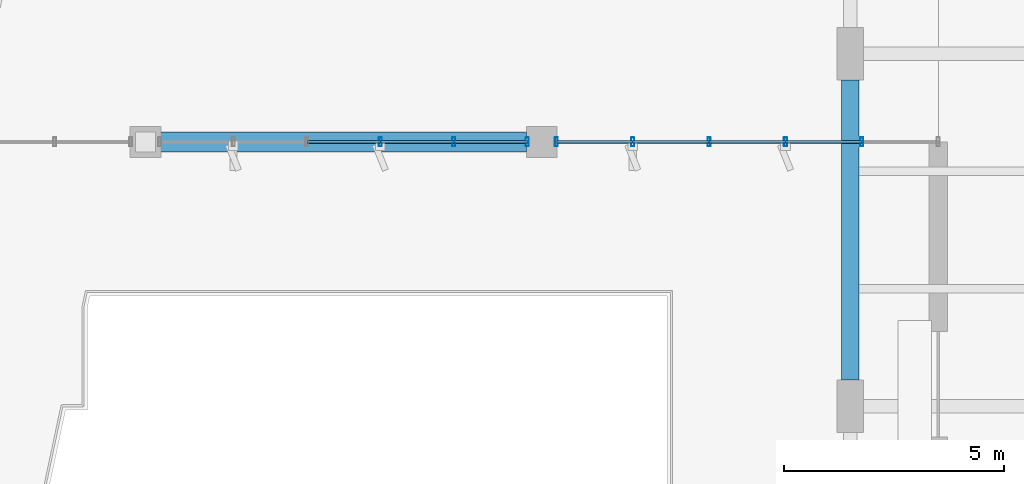
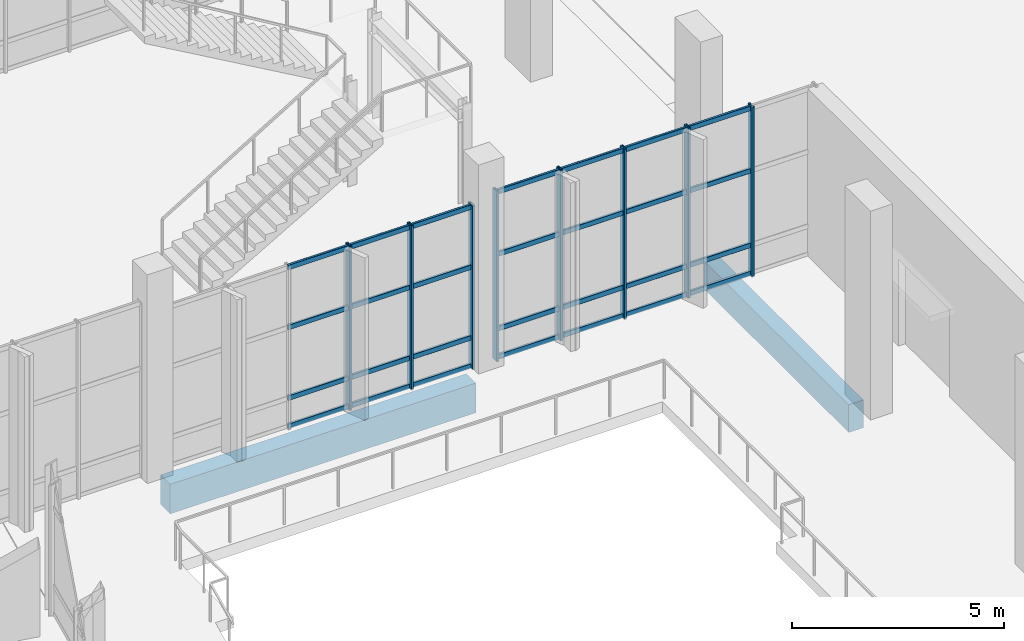
# One storey, part 47 of 163: 36 members, 2 beams, 2 elements without a shape of their own.
"""IFC4 building model written with IfcOpenShell, lengths in metres."""

from ifc_helpers import new_model, si_unit, direction, frame, origin, origin_2d, place, context, subcontext, project, spatial, rectangle, hollow_rectangle, extrude, material, layer, layer_set, material_profile, profile_set, type_object, element, aggregate, save


model = new_model("IFC4")

# Units and contexts
model_context = context("Model", 3, precision=1e-05, world=origin(), true_north=direction((0.0, 1.0)))
body_context = subcontext(model_context, "Body", "Model", "MODEL_VIEW")
ifc_project = project(units=[si_unit("LENGTHUNIT", "METRE"), si_unit("AREAUNIT", "SQUARE_METRE"), si_unit("VOLUMEUNIT", "CUBIC_METRE"), si_unit("PLANEANGLEUNIT", "RADIAN"), si_unit("MASSUNIT", "GRAM", prefix="KILO")], contexts=[model_context])

# Site, building, storey
site_placement = place(None, origin())
site = spatial("IfcSite", under=ifc_project, at=site_placement, CompositionType="ELEMENT")
building_placement = place(site_placement, origin())
building = spatial("IfcBuilding", under=site, at=building_placement, Name="Khorjan Park Terminus", CompositionType="ELEMENT")
storey_placement = place(building_placement, origin())
storey = spatial("IfcBuildingStorey", under=building, at=storey_placement, Name="L00", CompositionType="ELEMENT", Elevation=0.0)

# Beams
ifc_material_1 = material(Name="Concrete C40/50", Category="concrete")
ifc_material_profile_1 = material_profile(ifc_material_1, rectangle(XDim=0.4, YDim=0.8, at=origin_2d()), Name="RC 400x800")
ifc_profile_set_1 = profile_set([ifc_material_profile_1], Name="Concrete C40/50")
beam_type_1 = type_object("IfcBeamType", Name="BM-RC400x800", PredefinedType="BEAM", material=ifc_profile_set_1)
beam_1_placement = place(storey_placement, frame((48.0, 44.595, -0.72), z_axis=(0.0, 1.0, 0.0), x_axis=(-1.0, 0.0, 0.0)))
element("IfcBeam", 1, at=beam_1_placement, inside=storey, type_object=beam_type_1, Name="Primary floor girder GB-08B (L00)", PredefinedType="BEAM", context=body_context, shape_type="SweptSolid", body=[
    extrude(rectangle(XDim=0.4, YDim=0.8, at=origin_2d()), origin(), (0.0, 0.0, 1.0), 6.81),
])
ifc_material_profile_2 = material_profile(ifc_material_1, rectangle(XDim=0.45, YDim=0.85, at=origin_2d()), Name="RC 450x850")
ifc_profile_set_2 = profile_set([ifc_material_profile_2], Name="Concrete C40/50")
beam_type_2 = type_object("IfcBeamType", Name="BM-RC450x850", PredefinedType="BEAM", material=ifc_profile_set_2)
beam_2_placement = place(storey_placement, frame((32.345, 50.0, -0.765), z_axis=(1.0, 0.0, 0.0), x_axis=(0.0, 1.0, 0.0)))
element("IfcBeam", 2, at=beam_2_placement, inside=storey, type_object=beam_type_2, Name="Primary floor girder GB-85 (L00)", PredefinedType="BEAM", context=body_context, shape_type="SweptSolid", body=[
    extrude(rectangle(XDim=0.45, YDim=0.85, at=origin_2d()), origin(), (0.0, 0.0, 1.0), 8.31),
])

# Curtain wall, members
ifc_material_2 = material(Name="Anodized Bronze Aluminium", Category="aluminium")
ifc_layer = layer(ifc_material_2, 0.22)
ifc_layer_set = layer_set([ifc_layer], Name="Anodized Bronze Aluminium")
curtain_wall_type = type_object("IfcCurtainWallType", Name="CW-PAV-C", PredefinedType="NOTDEFINED", material=ifc_layer_set)
curtain_wall_1_placement = place(storey_placement, origin())
curtain_wall_1 = element("IfcCurtainWall", 3, at=curtain_wall_1_placement, inside=storey, type_object=curtain_wall_type, Name="Unitized curtain wall CW-C (CW-V4L-S-L00-2)", PredefinedType="NOTDEFINED")
ifc_material_profile_3 = material_profile(ifc_material_2, hollow_rectangle(XDim=0.07, YDim=0.2, WallThickness=0.005, InnerFilletRadius=0.005, OuterFilletRadius=0.01, at=origin_2d()), Name="ALM 70x200x5")
ifc_profile_set_3 = profile_set([ifc_material_profile_3], Name="Anodized Bronze Aluminium")
member_type_1 = type_object("IfcMemberType", Name="ML-ALM-200", PredefinedType="MULLION", material=ifc_profile_set_3)
member_1_placement = place(storey_placement, frame((37.334, 50.0, -0.035), z_axis=(0.0, 0.0, 1.0), x_axis=(1.0, 0.0, 0.0)))
member_1 = element("IfcMember", 4, at=member_1_placement, type_object=member_type_1, Name="Curtain-wall mullion ML-20 (CW-V4L-S-L00-2-3)", PredefinedType="MULLION", context=body_context, shape_type="SweptSolid", body=[
    extrude(hollow_rectangle(XDim=0.07, YDim=0.2, WallThickness=0.005, InnerFilletRadius=0.005, OuterFilletRadius=0.01, at=origin_2d()), origin(), (0.0, 0.0, 1.0), 4.715),
])
member_2_placement = place(storey_placement, frame((39.002, 50.0, -0.035), z_axis=(0.0, 0.0, 1.0), x_axis=(1.0, 0.0, 0.0)))
member_2 = element("IfcMember", 5, at=member_2_placement, type_object=member_type_1, Name="Curtain-wall mullion ML-20 (CW-V4L-S-L00-2-4)", PredefinedType="MULLION", context=body_context, shape_type="SweptSolid", body=[
    extrude(hollow_rectangle(XDim=0.07, YDim=0.2, WallThickness=0.005, InnerFilletRadius=0.005, OuterFilletRadius=0.01, at=origin_2d()), origin(), (0.0, 0.0, 1.0), 4.715),
])
member_3_placement = place(storey_placement, frame((40.67, 50.0, -0.035), z_axis=(0.0, 0.0, 1.0), x_axis=(1.0, 0.0, 0.0)))
member_3 = element("IfcMember", 6, at=member_3_placement, type_object=member_type_1, Name="Curtain-wall mullion ML-20 (CW-V4L-S-L00-2-5)", PredefinedType="MULLION", context=body_context, shape_type="SweptSolid", body=[
    extrude(hollow_rectangle(XDim=0.07, YDim=0.2, WallThickness=0.005, InnerFilletRadius=0.005, OuterFilletRadius=0.01, at=origin_2d()), origin(), (0.0, 0.0, 1.0), 4.715),
])

curtain_wall_2_placement = place(storey_placement, origin())
curtain_wall_2 = element("IfcCurtainWall", 7, at=curtain_wall_2_placement, inside=storey, type_object=curtain_wall_type, Name="Unitized curtain wall CW-C (CW-V4L-S-L00-3)", PredefinedType="NOTDEFINED")
member_4_placement = place(storey_placement, frame((41.33, 50.0, -0.035), z_axis=(0.0, 0.0, 1.0), x_axis=(1.0, 0.0, 0.0)))
member_4 = element("IfcMember", 8, at=member_4_placement, type_object=member_type_1, Name="Curtain-wall mullion ML-20 (CW-V4L-S-L00-3-0)", PredefinedType="MULLION", context=body_context, shape_type="SweptSolid", body=[
    extrude(hollow_rectangle(XDim=0.07, YDim=0.2, WallThickness=0.005, InnerFilletRadius=0.005, OuterFilletRadius=0.01, at=origin_2d()), origin(), (0.0, 0.0, 1.0), 4.895),
])
member_5_placement = place(storey_placement, frame((43.064, 50.0, -0.035), z_axis=(0.0, 0.0, 1.0), x_axis=(1.0, 0.0, 0.0)))
member_5 = element("IfcMember", 9, at=member_5_placement, type_object=member_type_1, Name="Curtain-wall mullion ML-20 (CW-V4L-S-L00-3-1)", PredefinedType="MULLION", context=body_context, shape_type="SweptSolid", body=[
    extrude(hollow_rectangle(XDim=0.07, YDim=0.2, WallThickness=0.005, InnerFilletRadius=0.005, OuterFilletRadius=0.01, at=origin_2d()), origin(), (0.0, 0.0, 1.0), 4.895),
])
member_6_placement = place(storey_placement, frame((44.798, 50.0, -0.035), z_axis=(0.0, 0.0, 1.0), x_axis=(1.0, 0.0, 0.0)))
member_6 = element("IfcMember", 10, at=member_6_placement, type_object=member_type_1, Name="Curtain-wall mullion ML-20 (CW-V4L-S-L00-3-2)", PredefinedType="MULLION", context=body_context, shape_type="SweptSolid", body=[
    extrude(hollow_rectangle(XDim=0.07, YDim=0.2, WallThickness=0.005, InnerFilletRadius=0.005, OuterFilletRadius=0.01, at=origin_2d()), origin(), (0.0, 0.0, 1.0), 4.895),
])
member_7_placement = place(storey_placement, frame((46.532, 50.0, -0.035), z_axis=(0.0, 0.0, 1.0), x_axis=(1.0, 0.0, 0.0)))
member_7 = element("IfcMember", 11, at=member_7_placement, type_object=member_type_1, Name="Curtain-wall mullion ML-20 (CW-V4L-S-L00-3-3)", PredefinedType="MULLION", context=body_context, shape_type="SweptSolid", body=[
    extrude(hollow_rectangle(XDim=0.07, YDim=0.2, WallThickness=0.005, InnerFilletRadius=0.005, OuterFilletRadius=0.01, at=origin_2d()), origin(), (0.0, 0.0, 1.0), 4.895),
])
member_8_placement = place(storey_placement, frame((48.266, 50.0, -0.035), z_axis=(0.0, 0.0, 1.0), x_axis=(1.0, 0.0, 0.0)))
member_8 = element("IfcMember", 12, at=member_8_placement, type_object=member_type_1, Name="Curtain-wall mullion ML-20 (CW-V4L-S-L00-3-4)", PredefinedType="MULLION", context=body_context, shape_type="SweptSolid", body=[
    extrude(hollow_rectangle(XDim=0.07, YDim=0.2, WallThickness=0.005, InnerFilletRadius=0.005, OuterFilletRadius=0.01, at=origin_2d()), origin(), (0.0, 0.0, 1.0), 4.895),
])

# Member
ifc_material_profile_4 = material_profile(ifc_material_2, hollow_rectangle(XDim=0.065, YDim=0.14, WallThickness=0.004, InnerFilletRadius=0.004, OuterFilletRadius=0.008, at=origin_2d()), Name="ALT 65x140x4")
ifc_profile_set_4 = profile_set([ifc_material_profile_4], Name="Anodized Bronze Aluminium")
member_type_2 = type_object("IfcMemberType", Name="TR-ALT-140", PredefinedType="USERDEFINED", material=ifc_profile_set_4)
member_9_placement = place(storey_placement, frame((35.666, 50.0, 0.04), z_axis=(1.0, 0.0, 0.0), x_axis=(0.0, 1.0, 0.0)))
member_9 = element("IfcMember", 13, at=member_9_placement, type_object=member_type_2, Name="Curtain-wall transom TR-14 (CW-V4L-S-L00-2-2-1)", ObjectType="TRANSOM", PredefinedType="USERDEFINED", context=body_context, shape_type="SweptSolid", body=[
    extrude(hollow_rectangle(XDim=0.065, YDim=0.14, WallThickness=0.004, InnerFilletRadius=0.004, OuterFilletRadius=0.008, at=origin_2d()), origin(), (0.0, 0.0, 1.0), 1.668),
])

member_10_placement = place(storey_placement, frame((35.666, 50.0, 0.85), z_axis=(1.0, 0.0, 0.0), x_axis=(0.0, 1.0, 0.0)))
member_10 = element("IfcMember", 14, at=member_10_placement, type_object=member_type_2, Name="Curtain-wall transom TR-14 (CW-V4L-S-L00-2-2-2)", ObjectType="TRANSOM", PredefinedType="USERDEFINED", context=body_context, shape_type="SweptSolid", body=[
    extrude(hollow_rectangle(XDim=0.065, YDim=0.14, WallThickness=0.004, InnerFilletRadius=0.004, OuterFilletRadius=0.008, at=origin_2d()), origin(), (0.0, 0.0, 1.0), 1.668),
])

member_11_placement = place(storey_placement, frame((35.666, 50.0, 2.8799), z_axis=(1.0, 0.0, 0.0), x_axis=(0.0, 1.0, 0.0)))
member_11 = element("IfcMember", 15, at=member_11_placement, type_object=member_type_2, Name="Curtain-wall transom TR-14 (CW-V4L-S-L00-2-2-3)", ObjectType="TRANSOM", PredefinedType="USERDEFINED", context=body_context, shape_type="SweptSolid", body=[
    extrude(hollow_rectangle(XDim=0.065, YDim=0.14, WallThickness=0.004, InnerFilletRadius=0.004, OuterFilletRadius=0.008, at=origin_2d()), origin(), (0.0, 0.0, 1.0), 1.668),
])

member_12_placement = place(storey_placement, frame((35.666, 50.0, 4.605), z_axis=(1.0, 0.0, 0.0), x_axis=(0.0, 1.0, 0.0)))
member_12 = element("IfcMember", 16, at=member_12_placement, type_object=member_type_2, Name="Curtain-wall transom TR-14 (CW-V4L-S-L00-2-2-4)", ObjectType="TRANSOM", PredefinedType="USERDEFINED", context=body_context, shape_type="SweptSolid", body=[
    extrude(hollow_rectangle(XDim=0.065, YDim=0.14, WallThickness=0.004, InnerFilletRadius=0.004, OuterFilletRadius=0.008, at=origin_2d()), origin(), (0.0, 0.0, 1.0), 1.668),
])

member_13_placement = place(storey_placement, frame((37.334, 50.0, 0.04), z_axis=(1.0, 0.0, 0.0), x_axis=(0.0, 1.0, 0.0)))
member_13 = element("IfcMember", 17, at=member_13_placement, type_object=member_type_2, Name="Curtain-wall transom TR-14 (CW-V4L-S-L00-2-3-1)", ObjectType="TRANSOM", PredefinedType="USERDEFINED", context=body_context, shape_type="SweptSolid", body=[
    extrude(hollow_rectangle(XDim=0.065, YDim=0.14, WallThickness=0.004, InnerFilletRadius=0.004, OuterFilletRadius=0.008, at=origin_2d()), origin(), (0.0, 0.0, 1.0), 1.668),
])

member_14_placement = place(storey_placement, frame((37.334, 50.0, 0.85), z_axis=(1.0, 0.0, 0.0), x_axis=(0.0, 1.0, 0.0)))
member_14 = element("IfcMember", 18, at=member_14_placement, type_object=member_type_2, Name="Curtain-wall transom TR-14 (CW-V4L-S-L00-2-3-2)", ObjectType="TRANSOM", PredefinedType="USERDEFINED", context=body_context, shape_type="SweptSolid", body=[
    extrude(hollow_rectangle(XDim=0.065, YDim=0.14, WallThickness=0.004, InnerFilletRadius=0.004, OuterFilletRadius=0.008, at=origin_2d()), origin(), (0.0, 0.0, 1.0), 1.668),
])

member_15_placement = place(storey_placement, frame((37.334, 50.0, 2.8799), z_axis=(1.0, 0.0, 0.0), x_axis=(0.0, 1.0, 0.0)))
member_15 = element("IfcMember", 19, at=member_15_placement, type_object=member_type_2, Name="Curtain-wall transom TR-14 (CW-V4L-S-L00-2-3-3)", ObjectType="TRANSOM", PredefinedType="USERDEFINED", context=body_context, shape_type="SweptSolid", body=[
    extrude(hollow_rectangle(XDim=0.065, YDim=0.14, WallThickness=0.004, InnerFilletRadius=0.004, OuterFilletRadius=0.008, at=origin_2d()), origin(), (0.0, 0.0, 1.0), 1.668),
])

member_16_placement = place(storey_placement, frame((37.334, 50.0, 4.605), z_axis=(1.0, 0.0, 0.0), x_axis=(0.0, 1.0, 0.0)))
member_16 = element("IfcMember", 20, at=member_16_placement, type_object=member_type_2, Name="Curtain-wall transom TR-14 (CW-V4L-S-L00-2-3-4)", ObjectType="TRANSOM", PredefinedType="USERDEFINED", context=body_context, shape_type="SweptSolid", body=[
    extrude(hollow_rectangle(XDim=0.065, YDim=0.14, WallThickness=0.004, InnerFilletRadius=0.004, OuterFilletRadius=0.008, at=origin_2d()), origin(), (0.0, 0.0, 1.0), 1.668),
])

member_17_placement = place(storey_placement, frame((39.002, 50.0, 0.04), z_axis=(1.0, 0.0, 0.0), x_axis=(0.0, 1.0, 0.0)))
member_17 = element("IfcMember", 21, at=member_17_placement, type_object=member_type_2, Name="Curtain-wall transom TR-14 (CW-V4L-S-L00-2-4-1)", ObjectType="TRANSOM", PredefinedType="USERDEFINED", context=body_context, shape_type="SweptSolid", body=[
    extrude(hollow_rectangle(XDim=0.065, YDim=0.14, WallThickness=0.004, InnerFilletRadius=0.004, OuterFilletRadius=0.008, at=origin_2d()), origin(), (0.0, 0.0, 1.0), 1.668),
])

member_18_placement = place(storey_placement, frame((39.002, 50.0, 0.85), z_axis=(1.0, 0.0, 0.0), x_axis=(0.0, 1.0, 0.0)))
member_18 = element("IfcMember", 22, at=member_18_placement, type_object=member_type_2, Name="Curtain-wall transom TR-14 (CW-V4L-S-L00-2-4-2)", ObjectType="TRANSOM", PredefinedType="USERDEFINED", context=body_context, shape_type="SweptSolid", body=[
    extrude(hollow_rectangle(XDim=0.065, YDim=0.14, WallThickness=0.004, InnerFilletRadius=0.004, OuterFilletRadius=0.008, at=origin_2d()), origin(), (0.0, 0.0, 1.0), 1.668),
])

member_19_placement = place(storey_placement, frame((39.002, 50.0, 2.8799), z_axis=(1.0, 0.0, 0.0), x_axis=(0.0, 1.0, 0.0)))
member_19 = element("IfcMember", 23, at=member_19_placement, type_object=member_type_2, Name="Curtain-wall transom TR-14 (CW-V4L-S-L00-2-4-3)", ObjectType="TRANSOM", PredefinedType="USERDEFINED", context=body_context, shape_type="SweptSolid", body=[
    extrude(hollow_rectangle(XDim=0.065, YDim=0.14, WallThickness=0.004, InnerFilletRadius=0.004, OuterFilletRadius=0.008, at=origin_2d()), origin(), (0.0, 0.0, 1.0), 1.668),
])

member_20_placement = place(storey_placement, frame((39.002, 50.0, 4.605), z_axis=(1.0, 0.0, 0.0), x_axis=(0.0, 1.0, 0.0)))
member_20 = element("IfcMember", 24, at=member_20_placement, type_object=member_type_2, Name="Curtain-wall transom TR-14 (CW-V4L-S-L00-2-4-4)", ObjectType="TRANSOM", PredefinedType="USERDEFINED", context=body_context, shape_type="SweptSolid", body=[
    extrude(hollow_rectangle(XDim=0.065, YDim=0.14, WallThickness=0.004, InnerFilletRadius=0.004, OuterFilletRadius=0.008, at=origin_2d()), origin(), (0.0, 0.0, 1.0), 1.668),
])

aggregate(curtain_wall_1, [member_1, member_2, member_3, member_9, member_10, member_11, member_12, member_13, member_14, member_15, member_16, member_17, member_18, member_19, member_20])

member_21_placement = place(storey_placement, frame((41.33, 50.0, 0.04), z_axis=(1.0, 0.0, 0.0), x_axis=(0.0, 1.0, 0.0)))
member_21 = element("IfcMember", 25, at=member_21_placement, type_object=member_type_2, Name="Curtain-wall transom TR-14 (CW-V4L-S-L00-3-0-1)", ObjectType="TRANSOM", PredefinedType="USERDEFINED", context=body_context, shape_type="SweptSolid", body=[
    extrude(hollow_rectangle(XDim=0.065, YDim=0.14, WallThickness=0.004, InnerFilletRadius=0.004, OuterFilletRadius=0.008, at=origin_2d()), origin(), (0.0, 0.0, 1.0), 1.734),
])

member_22_placement = place(storey_placement, frame((41.33, 50.0, 0.85), z_axis=(1.0, 0.0, 0.0), x_axis=(0.0, 1.0, 0.0)))
member_22 = element("IfcMember", 26, at=member_22_placement, type_object=member_type_2, Name="Curtain-wall transom TR-14 (CW-V4L-S-L00-3-0-2)", ObjectType="TRANSOM", PredefinedType="USERDEFINED", context=body_context, shape_type="SweptSolid", body=[
    extrude(hollow_rectangle(XDim=0.065, YDim=0.14, WallThickness=0.004, InnerFilletRadius=0.004, OuterFilletRadius=0.008, at=origin_2d()), origin(), (0.0, 0.0, 1.0), 1.734),
])

member_23_placement = place(storey_placement, frame((41.33, 50.0, 2.9915), z_axis=(1.0, 0.0, 0.0), x_axis=(0.0, 1.0, 0.0)))
member_23 = element("IfcMember", 27, at=member_23_placement, type_object=member_type_2, Name="Curtain-wall transom TR-14 (CW-V4L-S-L00-3-0-3)", ObjectType="TRANSOM", PredefinedType="USERDEFINED", context=body_context, shape_type="SweptSolid", body=[
    extrude(hollow_rectangle(XDim=0.065, YDim=0.14, WallThickness=0.004, InnerFilletRadius=0.004, OuterFilletRadius=0.008, at=origin_2d()), origin(), (0.0, 0.0, 1.0), 1.734),
])

member_24_placement = place(storey_placement, frame((41.33, 50.0, 4.785), z_axis=(1.0, 0.0, 0.0), x_axis=(0.0, 1.0, 0.0)))
member_24 = element("IfcMember", 28, at=member_24_placement, type_object=member_type_2, Name="Curtain-wall transom TR-14 (CW-V4L-S-L00-3-0-4)", ObjectType="TRANSOM", PredefinedType="USERDEFINED", context=body_context, shape_type="SweptSolid", body=[
    extrude(hollow_rectangle(XDim=0.065, YDim=0.14, WallThickness=0.004, InnerFilletRadius=0.004, OuterFilletRadius=0.008, at=origin_2d()), origin(), (0.0, 0.0, 1.0), 1.734),
])

member_25_placement = place(storey_placement, frame((43.064, 50.0, 0.04), z_axis=(1.0, 0.0, 0.0), x_axis=(0.0, 1.0, 0.0)))
member_25 = element("IfcMember", 29, at=member_25_placement, type_object=member_type_2, Name="Curtain-wall transom TR-14 (CW-V4L-S-L00-3-1-1)", ObjectType="TRANSOM", PredefinedType="USERDEFINED", context=body_context, shape_type="SweptSolid", body=[
    extrude(hollow_rectangle(XDim=0.065, YDim=0.14, WallThickness=0.004, InnerFilletRadius=0.004, OuterFilletRadius=0.008, at=origin_2d()), origin(), (0.0, 0.0, 1.0), 1.734),
])

member_26_placement = place(storey_placement, frame((43.064, 50.0, 0.85), z_axis=(1.0, 0.0, 0.0), x_axis=(0.0, 1.0, 0.0)))
member_26 = element("IfcMember", 30, at=member_26_placement, type_object=member_type_2, Name="Curtain-wall transom TR-14 (CW-V4L-S-L00-3-1-2)", ObjectType="TRANSOM", PredefinedType="USERDEFINED", context=body_context, shape_type="SweptSolid", body=[
    extrude(hollow_rectangle(XDim=0.065, YDim=0.14, WallThickness=0.004, InnerFilletRadius=0.004, OuterFilletRadius=0.008, at=origin_2d()), origin(), (0.0, 0.0, 1.0), 1.734),
])

member_27_placement = place(storey_placement, frame((43.064, 50.0, 2.9915), z_axis=(1.0, 0.0, 0.0), x_axis=(0.0, 1.0, 0.0)))
member_27 = element("IfcMember", 31, at=member_27_placement, type_object=member_type_2, Name="Curtain-wall transom TR-14 (CW-V4L-S-L00-3-1-3)", ObjectType="TRANSOM", PredefinedType="USERDEFINED", context=body_context, shape_type="SweptSolid", body=[
    extrude(hollow_rectangle(XDim=0.065, YDim=0.14, WallThickness=0.004, InnerFilletRadius=0.004, OuterFilletRadius=0.008, at=origin_2d()), origin(), (0.0, 0.0, 1.0), 1.734),
])

member_28_placement = place(storey_placement, frame((43.064, 50.0, 4.785), z_axis=(1.0, 0.0, 0.0), x_axis=(0.0, 1.0, 0.0)))
member_28 = element("IfcMember", 32, at=member_28_placement, type_object=member_type_2, Name="Curtain-wall transom TR-14 (CW-V4L-S-L00-3-1-4)", ObjectType="TRANSOM", PredefinedType="USERDEFINED", context=body_context, shape_type="SweptSolid", body=[
    extrude(hollow_rectangle(XDim=0.065, YDim=0.14, WallThickness=0.004, InnerFilletRadius=0.004, OuterFilletRadius=0.008, at=origin_2d()), origin(), (0.0, 0.0, 1.0), 1.734),
])

member_29_placement = place(storey_placement, frame((44.798, 50.0, 0.04), z_axis=(1.0, 0.0, 0.0), x_axis=(0.0, 1.0, 0.0)))
member_29 = element("IfcMember", 33, at=member_29_placement, type_object=member_type_2, Name="Curtain-wall transom TR-14 (CW-V4L-S-L00-3-2-1)", ObjectType="TRANSOM", PredefinedType="USERDEFINED", context=body_context, shape_type="SweptSolid", body=[
    extrude(hollow_rectangle(XDim=0.065, YDim=0.14, WallThickness=0.004, InnerFilletRadius=0.004, OuterFilletRadius=0.008, at=origin_2d()), origin(), (0.0, 0.0, 1.0), 1.734),
])

member_30_placement = place(storey_placement, frame((44.798, 50.0, 0.85), z_axis=(1.0, 0.0, 0.0), x_axis=(0.0, 1.0, 0.0)))
member_30 = element("IfcMember", 34, at=member_30_placement, type_object=member_type_2, Name="Curtain-wall transom TR-14 (CW-V4L-S-L00-3-2-2)", ObjectType="TRANSOM", PredefinedType="USERDEFINED", context=body_context, shape_type="SweptSolid", body=[
    extrude(hollow_rectangle(XDim=0.065, YDim=0.14, WallThickness=0.004, InnerFilletRadius=0.004, OuterFilletRadius=0.008, at=origin_2d()), origin(), (0.0, 0.0, 1.0), 1.734),
])

member_31_placement = place(storey_placement, frame((44.798, 50.0, 2.9915), z_axis=(1.0, 0.0, 0.0), x_axis=(0.0, 1.0, 0.0)))
member_31 = element("IfcMember", 35, at=member_31_placement, type_object=member_type_2, Name="Curtain-wall transom TR-14 (CW-V4L-S-L00-3-2-3)", ObjectType="TRANSOM", PredefinedType="USERDEFINED", context=body_context, shape_type="SweptSolid", body=[
    extrude(hollow_rectangle(XDim=0.065, YDim=0.14, WallThickness=0.004, InnerFilletRadius=0.004, OuterFilletRadius=0.008, at=origin_2d()), origin(), (0.0, 0.0, 1.0), 1.734),
])

member_32_placement = place(storey_placement, frame((44.798, 50.0, 4.785), z_axis=(1.0, 0.0, 0.0), x_axis=(0.0, 1.0, 0.0)))
member_32 = element("IfcMember", 36, at=member_32_placement, type_object=member_type_2, Name="Curtain-wall transom TR-14 (CW-V4L-S-L00-3-2-4)", ObjectType="TRANSOM", PredefinedType="USERDEFINED", context=body_context, shape_type="SweptSolid", body=[
    extrude(hollow_rectangle(XDim=0.065, YDim=0.14, WallThickness=0.004, InnerFilletRadius=0.004, OuterFilletRadius=0.008, at=origin_2d()), origin(), (0.0, 0.0, 1.0), 1.734),
])

member_33_placement = place(storey_placement, frame((46.532, 50.0, 0.04), z_axis=(1.0, 0.0, 0.0), x_axis=(0.0, 1.0, 0.0)))
member_33 = element("IfcMember", 37, at=member_33_placement, type_object=member_type_2, Name="Curtain-wall transom TR-14 (CW-V4L-S-L00-3-3-1)", ObjectType="TRANSOM", PredefinedType="USERDEFINED", context=body_context, shape_type="SweptSolid", body=[
    extrude(hollow_rectangle(XDim=0.065, YDim=0.14, WallThickness=0.004, InnerFilletRadius=0.004, OuterFilletRadius=0.008, at=origin_2d()), origin(), (0.0, 0.0, 1.0), 1.734),
])

member_34_placement = place(storey_placement, frame((46.532, 50.0, 0.85), z_axis=(1.0, 0.0, 0.0), x_axis=(0.0, 1.0, 0.0)))
member_34 = element("IfcMember", 38, at=member_34_placement, type_object=member_type_2, Name="Curtain-wall transom TR-14 (CW-V4L-S-L00-3-3-2)", ObjectType="TRANSOM", PredefinedType="USERDEFINED", context=body_context, shape_type="SweptSolid", body=[
    extrude(hollow_rectangle(XDim=0.065, YDim=0.14, WallThickness=0.004, InnerFilletRadius=0.004, OuterFilletRadius=0.008, at=origin_2d()), origin(), (0.0, 0.0, 1.0), 1.734),
])

member_35_placement = place(storey_placement, frame((46.532, 50.0, 2.9915), z_axis=(1.0, 0.0, 0.0), x_axis=(0.0, 1.0, 0.0)))
member_35 = element("IfcMember", 39, at=member_35_placement, type_object=member_type_2, Name="Curtain-wall transom TR-14 (CW-V4L-S-L00-3-3-3)", ObjectType="TRANSOM", PredefinedType="USERDEFINED", context=body_context, shape_type="SweptSolid", body=[
    extrude(hollow_rectangle(XDim=0.065, YDim=0.14, WallThickness=0.004, InnerFilletRadius=0.004, OuterFilletRadius=0.008, at=origin_2d()), origin(), (0.0, 0.0, 1.0), 1.734),
])

member_36_placement = place(storey_placement, frame((46.532, 50.0, 4.785), z_axis=(1.0, 0.0, 0.0), x_axis=(0.0, 1.0, 0.0)))
member_36 = element("IfcMember", 40, at=member_36_placement, type_object=member_type_2, Name="Curtain-wall transom TR-14 (CW-V4L-S-L00-3-3-4)", ObjectType="TRANSOM", PredefinedType="USERDEFINED", context=body_context, shape_type="SweptSolid", body=[
    extrude(hollow_rectangle(XDim=0.065, YDim=0.14, WallThickness=0.004, InnerFilletRadius=0.004, OuterFilletRadius=0.008, at=origin_2d()), origin(), (0.0, 0.0, 1.0), 1.734),
])

aggregate(curtain_wall_2, [member_4, member_5, member_6, member_7, member_8, member_21, member_22, member_23, member_24, member_25, member_26, member_27, member_28, member_29, member_30, member_31, member_32, member_33, member_34, member_35, member_36])

save(model, "model.ifc")
